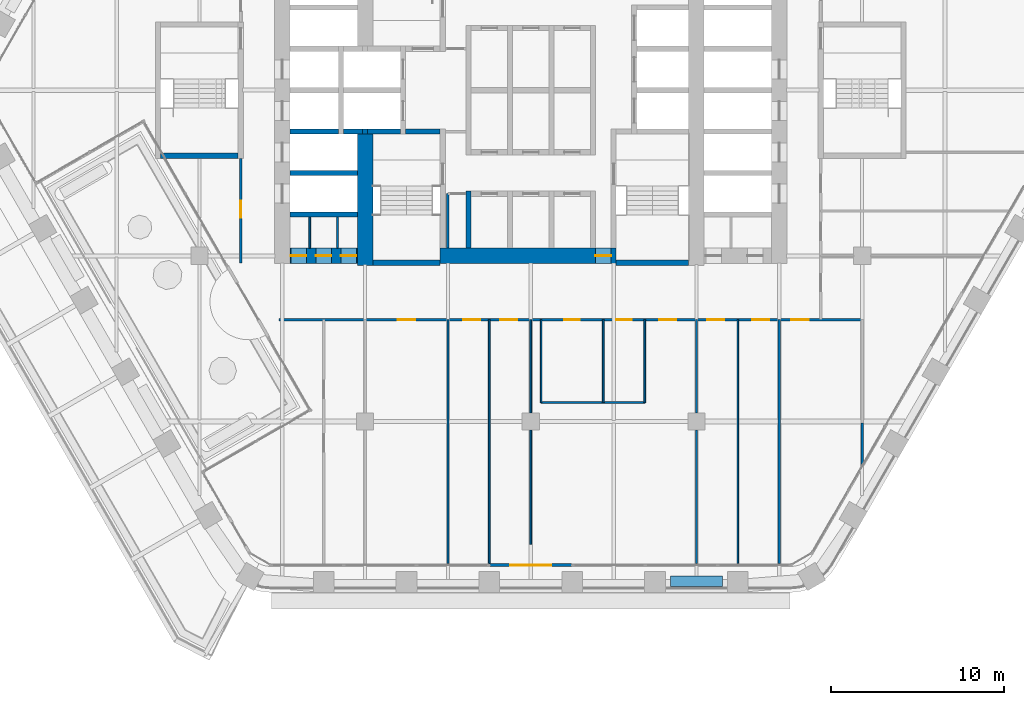
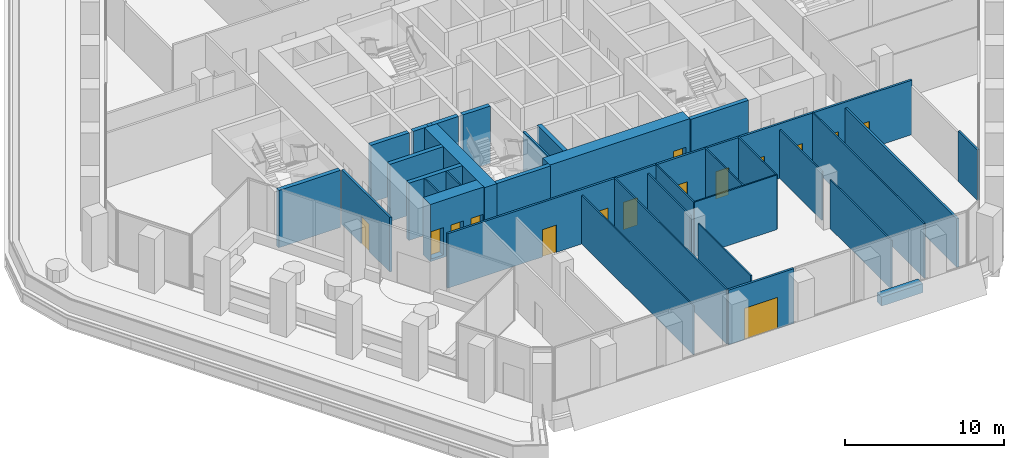
# One storey, part 15 of 27: 34 walls, 15 doors, 15 openings.
"""IFC4 building model written with IfcOpenShell, lengths in metres."""

from ifc_helpers import new_model, si_unit, direction, frame, frame_2d, origin, place, context, subcontext, project, spatial, rectangle, extrude, material, layer, layer_set, type_object, element, fill, save


model = new_model("IFC4")

# Units and contexts
model_context = context("Model", 3, precision=1e-05, world=origin(), true_north=direction((0.0, 1.0)))
body_context = subcontext(model_context, "Body", "Model", "MODEL_VIEW")
ifc_project = project(units=[si_unit("LENGTHUNIT", "METRE"), si_unit("AREAUNIT", "SQUARE_METRE"), si_unit("VOLUMEUNIT", "CUBIC_METRE"), si_unit("PLANEANGLEUNIT", "RADIAN"), si_unit("MASSUNIT", "GRAM", prefix="KILO")], contexts=[model_context])

# Site, building, storey
site_placement = place(None, origin())
site = spatial("IfcSite", under=ifc_project, at=site_placement, CompositionType="ELEMENT")
building_placement = place(site_placement, origin())
building = spatial("IfcBuilding", under=site, at=building_placement, Name="Kolab Exchange Tower", CompositionType="ELEMENT")
storey_placement = place(building_placement, frame((0.0, 0.0, 122.89990234375)))
storey = spatial("IfcBuildingStorey", under=building, at=storey_placement, Name="L24", CompositionType="ELEMENT", Elevation=122.89990234375)

# Wall, openings, doors
ifc_material_1 = material(Name="Concrete C70/85", Category="concrete")
ifc_layer_1 = layer(ifc_material_1, 0.89990234375)
ifc_layer_set_1 = layer_set([ifc_layer_1], Name="Concrete C70/85")
wall_type_1 = type_object("IfcWallType", Name="CORE WALL 900 C70/85", PredefinedType="SHEAR", material=ifc_layer_set_1)
wall_1_placement = place(storey_placement, frame((-13.949951171875, -9.60009765625, -0.199951171875), z_axis=(0.0, 0.0, 1.0), x_axis=(1.0, 0.0, 0.0)))
wall_1 = element("IfcWall", 1, at=wall_1_placement, inside=storey, type_object=wall_type_1, Name="wall/L24/core/002", PredefinedType="SHEAR", context=body_context, shape_type="SweptSolid", body=[
    extrude(rectangle(XDim=3.89990234375, YDim=0.89990234375, at=frame_2d((1.949951171875, 0.0))), origin(), (0.0, 0.0, 1.0), 4.400146484375),
])
opening_1_placement = place(wall_1_placement, frame((0.050048828125, 0.0, 0.199951171875)))
opening_1 = element("IfcOpeningElement", 2, at=opening_1_placement, cuts=wall_1, Name="Opening D6-256", PredefinedType="OPENING", context=body_context, shape_type="SweptSolid", body=[
    extrude(rectangle(XDim=0.89990234375, YDim=2.10009765625, at=frame_2d((0.449951171875, 1.050048828125))), frame((0.0, 0.4599609375, 0.0), z_axis=(0.0, -1.0, 0.0), x_axis=(1.0, 0.0, 0.0)), (0.0, 0.0, 1.0), 0.919921875),
])
opening_2_placement = place(wall_1_placement, frame((1.5, 0.0, 0.199951171875)))
opening_2 = element("IfcOpeningElement", 3, at=opening_2_placement, cuts=wall_1, Name="Opening D6-257", PredefinedType="OPENING", context=body_context, shape_type="SweptSolid", body=[
    extrude(rectangle(XDim=0.89990234375, YDim=2.10009765625, at=frame_2d((0.449951171875, 1.050048828125))), frame((0.0, 0.4599609375, 0.0), z_axis=(0.0, -1.0, 0.0), x_axis=(1.0, 0.0, 0.0)), (0.0, 0.0, 1.0), 0.919921875),
])
opening_3_placement = place(wall_1_placement, frame((2.949951171875, 0.0, 0.199951171875)))
opening_3 = element("IfcOpeningElement", 4, at=opening_3_placement, cuts=wall_1, Name="Opening D6-258", PredefinedType="OPENING", context=body_context, shape_type="SweptSolid", body=[
    extrude(rectangle(XDim=0.89990234375, YDim=2.10009765625, at=frame_2d((0.449951171875, 1.050048828125))), frame((0.0, 0.4599609375, 0.0), z_axis=(0.0, -1.0, 0.0), x_axis=(1.0, 0.0, 0.0)), (0.0, 0.0, 1.0), 0.919921875),
])
ifc_material_2 = material(Name="Steel S235", Category="steel")
door_type_1 = type_object("IfcDoorType", Name="CORE DOOR 900 EI 120", OperationType="SINGLE_SWING_LEFT", PredefinedType="DOOR", material=ifc_material_2)
door_1_placement = place(opening_1_placement, origin())
door_1 = element("IfcDoor", 5, at=door_1_placement, inside=storey, type_object=door_type_1, Name="Service room door", OperationType="SINGLE_SWING_RIGHT", OverallHeight=2.10009765625, OverallWidth=0.89990234375, PredefinedType="DOOR", context=body_context, shape_type="SweptSolid", body=[
    extrude(rectangle(XDim=0.89990234375, YDim=2.10009765625, at=frame_2d((0.449951171875, 1.050048828125))), frame((0.0, 0.02490234375, 0.0), z_axis=(0.0, -1.0, 0.0), x_axis=(1.0, 0.0, 0.0)), (0.0, 0.0, 1.0), 0.050048828125),
])
fill(opening_1, door_1)
door_2_placement = place(opening_2_placement, origin())
door_2 = element("IfcDoor", 6, at=door_2_placement, inside=storey, type_object=door_type_1, Name="Service room door", OperationType="SINGLE_SWING_LEFT", OverallHeight=2.10009765625, OverallWidth=0.89990234375, PredefinedType="DOOR", context=body_context, shape_type="SweptSolid", body=[
    extrude(rectangle(XDim=0.89990234375, YDim=2.10009765625, at=frame_2d((0.449951171875, 1.050048828125))), frame((0.0, 0.02490234375, 0.0), z_axis=(0.0, -1.0, 0.0), x_axis=(1.0, 0.0, 0.0)), (0.0, 0.0, 1.0), 0.050048828125),
])
fill(opening_2, door_2)
door_3_placement = place(opening_3_placement, origin())
door_3 = element("IfcDoor", 7, at=door_3_placement, inside=storey, type_object=door_type_1, Name="Service room door", OperationType="SINGLE_SWING_LEFT", OverallHeight=2.10009765625, OverallWidth=0.89990234375, PredefinedType="DOOR", context=body_context, shape_type="SweptSolid", body=[
    extrude(rectangle(XDim=0.89990234375, YDim=2.10009765625, at=frame_2d((0.449951171875, 1.050048828125))), frame((0.0, 0.02490234375, 0.0), z_axis=(0.0, -1.0, 0.0), x_axis=(1.0, 0.0, 0.0)), (0.0, 0.0, 1.0), 0.050048828125),
])
fill(opening_3, door_3)

# Wall, opening, door
wall_2_placement = place(storey_placement, frame((-5.25, -9.60009765625, -0.199951171875), z_axis=(0.0, 0.0, 1.0), x_axis=(1.0, 0.0, 0.0)))
wall_2 = element("IfcWall", 8, at=wall_2_placement, inside=storey, type_object=wall_type_1, Name="wall/L24/core/003", PredefinedType="SHEAR", context=body_context, shape_type="SweptSolid", body=[
    extrude(rectangle(XDim=10.199951171875, YDim=0.89990234375, at=frame_2d((5.10009765625, 0.0))), origin(), (0.0, 0.0, 1.0), 4.400146484375),
])
opening_4_placement = place(wall_2_placement, frame((9.0, 0.0, 0.199951171875)))
opening_4 = element("IfcOpeningElement", 9, at=opening_4_placement, cuts=wall_2, Name="Opening D6-249", PredefinedType="OPENING", context=body_context, shape_type="SweptSolid", body=[
    extrude(rectangle(XDim=0.89990234375, YDim=2.10009765625, at=frame_2d((0.449951171875, 1.050048828125))), frame((0.0, 0.4599609375, 0.0), z_axis=(0.0, -1.0, 0.0), x_axis=(1.0, 0.0, 0.0)), (0.0, 0.0, 1.0), 0.919921875),
])
door_4_placement = place(opening_4_placement, origin())
door_4 = element("IfcDoor", 10, at=door_4_placement, inside=storey, type_object=door_type_1, Name="Core lobby door", OperationType="SINGLE_SWING_LEFT", OverallHeight=2.10009765625, OverallWidth=0.89990234375, PredefinedType="DOOR", context=body_context, shape_type="SweptSolid", body=[
    extrude(rectangle(XDim=0.89990234375, YDim=2.10009765625, at=frame_2d((0.449951171875, 1.050048828125))), frame((0.0, 0.02490234375, 0.0), z_axis=(0.0, -1.0, 0.0), x_axis=(1.0, 0.0, 0.0)), (0.0, 0.0, 1.0), 0.050048828125),
])
fill(opening_4, door_4)

# Wall
wall_3_placement = place(storey_placement, frame((-9.60009765625, -10.14990234375, -0.199951171875), z_axis=(0.0, 0.0, 1.0), x_axis=(0.0, 1.0, 0.0)))
element("IfcWall", 11, at=wall_3_placement, inside=storey, type_object=wall_type_1, Name="wall/L24/core/059", PredefinedType="SHEAR", context=body_context, shape_type="SweptSolid", body=[
    extrude(rectangle(XDim=7.599853515625, YDim=0.89990234375, at=frame_2d((3.7998046875, 0.0))), origin(), (0.0, 0.0, 1.0), 4.400146484375),
])

# Wall, opening, door
ifc_material_3 = material(Name="Aluminium EN AW-6063 T6", Category="aluminium")
ifc_layer_2 = layer(ifc_material_3, 0.159912109375)
ifc_layer_set_2 = layer_set([ifc_layer_2], Name="Aluminium EN AW-6063 T6")
wall_type_2 = type_object("IfcWallType", Name="DOOR SURROUND WALL 160 ALUMINIUM FRAMED", PredefinedType="PARTITIONING", material=ifc_layer_set_2)
wall_4_placement = place(storey_placement, frame((2.3701171875, -27.5185546875, 0.0), z_axis=(0.0, 0.0, 1.0), x_axis=(-1.0, 0.0, 0.0)))
wall_4 = element("IfcWall", 12, at=wall_4_placement, inside=storey, type_object=wall_type_2, Name="Door surround wall", PredefinedType="PARTITIONING", context=body_context, shape_type="SweptSolid", body=[
    extrude(rectangle(XDim=4.740234375, YDim=0.159912109375, at=frame_2d((2.3701171875, 0.0))), origin(), (0.0, 0.0, 1.0), 4.2001953125),
])
opening_5_placement = place(wall_4_placement, frame((1.169921875, 0.0, 0.0)))
opening_5 = element("IfcOpeningElement", 13, at=opening_5_placement, cuts=wall_4, Name="Opening GD1-046", PredefinedType="OPENING", context=body_context, shape_type="SweptSolid", body=[
    extrude(rectangle(XDim=2.39990234375, YDim=2.39990234375, at=frame_2d((1.199951171875, 1.199951171875))), frame((0.0, 0.08984375, 0.0), z_axis=(0.0, -1.0, 0.0), x_axis=(1.0, 0.0, 0.0)), (0.0, 0.0, 1.0), 0.179931640625),
])
door_type_2 = type_object("IfcDoorType", Name="LOGGIA SLIDING GLASS DOOR 2400 X 2400", OperationType="DOUBLE_DOOR_SINGLE_SWING", PredefinedType="DOOR", material=ifc_material_3)
door_5_placement = place(opening_5_placement, origin())
door_5 = element("IfcDoor", 14, at=door_5_placement, inside=storey, type_object=door_type_2, Name="Loggia door", OperationType="DOUBLE_DOOR_SLIDING", OverallHeight=2.39990234375, OverallWidth=2.39990234375, PredefinedType="DOOR", context=body_context, shape_type="SweptSolid", body=[
    extrude(rectangle(XDim=2.39990234375, YDim=2.39990234375, at=frame_2d((1.199951171875, 1.199951171875))), frame((0.0, 0.02490234375, 0.0), z_axis=(0.0, -1.0, 0.0), x_axis=(1.0, 0.0, 0.0)), (0.0, 0.0, 1.0), 0.050048828125),
])
fill(opening_5, door_5)

# Walls
ifc_material_4 = material(Name="Concrete C50/60", Category="concrete")
ifc_layer_3 = layer(ifc_material_4, 0.300048828125)
ifc_layer_set_3 = layer_set([ifc_layer_3], Name="Concrete C50/60")
wall_type_3 = type_object("IfcWallType", Name="LIFT SHAFT WALL 300 C50/60", PredefinedType="STANDARD", material=ifc_layer_set_3)
for number, where, z_axis, x_axis, name in (
    (15, (-13.949951171875, -7.199951171875, -0.199951171875), (0.0, 0.0, 1.0), (1.0, 0.0, 0.0), "wall/L24/core/005"),
    (16, (-13.949951171875, -4.800048828125, -0.199951171875), (0.0, 0.0, 1.0), (1.0, 0.0, 0.0), "wall/L24/core/010"),
):
    element("IfcWall", number, at=place(storey_placement, frame(where, z_axis=z_axis, x_axis=x_axis)), inside=storey, type_object=wall_type_3, Name=name, PredefinedType="STANDARD", context=body_context, shape_type="SweptSolid", body=[
        extrude(rectangle(XDim=3.89990234375, YDim=0.300048828125, at=frame_2d((1.949951171875, 0.0))), origin(), (0.0, 0.0, 1.0), 4.400146484375),
    ])
wall_5_placement = place(storey_placement, frame((-13.949951171875, -2.39990234375, -0.199951171875), z_axis=(0.0, 0.0, 1.0), x_axis=(1.0, 0.0, 0.0)))
element("IfcWall", 17, at=wall_5_placement, inside=storey, type_object=wall_type_3, Name="wall/L24/core/017", PredefinedType="STANDARD", context=body_context, shape_type="SweptSolid", body=[
    extrude(rectangle(XDim=2.800048828125, YDim=0.300048828125, at=frame_2d((1.39990234375, 0.0))), origin(), (0.0, 0.0, 1.0), 4.400146484375),
])
wall_6_placement = place(storey_placement, frame((-10.85009765625, -2.39990234375, -0.199951171875), z_axis=(0.0, 0.0, 1.0), x_axis=(1.0, 0.0, 0.0)))
element("IfcWall", 18, at=wall_6_placement, inside=storey, type_object=wall_type_3, Name="wall/L24/core/018", PredefinedType="STANDARD", context=body_context, shape_type="SweptSolid", body=[
    extrude(rectangle(XDim=1.10009765625, YDim=0.300048828125, at=frame_2d((0.550048828125, 0.0))), origin(), (0.0, 0.0, 1.0), 4.400146484375),
])
wall_7_placement = place(storey_placement, frame((-3.60009765625, -9.14990234375, -0.199951171875), z_axis=(0.0, 0.0, 1.0), x_axis=(0.0, 1.0, 0.0)))
element("IfcWall", 19, at=wall_7_placement, inside=storey, type_object=wall_type_3, Name="wall/L24/core/066", PredefinedType="STANDARD", context=body_context, shape_type="SweptSolid", body=[
    extrude(rectangle(XDim=3.2998046875, YDim=0.300048828125, at=frame_2d((1.64990234375, 0.0))), origin(), (0.0, 0.0, 1.0), 4.400146484375),
])
ifc_material_5 = material(Name="Gypsum board", Category="gypsum")
ifc_layer_4 = layer(ifc_material_5, 0.10009765625)
ifc_layer_set_4 = layer_set([ifc_layer_4], Name="Gypsum board")
wall_type_4 = type_object("IfcWallType", Name="PARTITION 100", PredefinedType="PARTITIONING", material=ifc_layer_set_4)
wall_8_placement = place(storey_placement, frame((12.0, -27.428466796875, 0.0), z_axis=(0.0, 0.0, 1.0), x_axis=(0.0, 1.0, 0.0)))
element("IfcWall", 20, at=wall_8_placement, inside=storey, type_object=wall_type_4, Name="Partition 007", PredefinedType="PARTITIONING", context=body_context, shape_type="SweptSolid", body=[
    extrude(rectangle(XDim=14.12841796875, YDim=0.10009765625, at=frame_2d((7.064208984375, 0.0))), origin(), (0.0, 0.0, 1.0), 4.2001953125),
])
wall_9_placement = place(storey_placement, frame((9.60009765625, -27.428466796875, 0.0), z_axis=(0.0, 0.0, 1.0), x_axis=(0.0, 1.0, 0.0)))
element("IfcWall", 21, at=wall_9_placement, inside=storey, type_object=wall_type_4, Name="Partition 009", PredefinedType="PARTITIONING", context=body_context, shape_type="SweptSolid", body=[
    extrude(rectangle(XDim=7.728515625, YDim=0.10009765625, at=frame_2d((3.8642578125, 0.0))), origin(), (0.0, 0.0, 1.0), 3.7431640625),
])
wall_10_placement = place(storey_placement, frame((9.60009765625, -18.699951171875, 0.0), z_axis=(0.0, 0.0, 1.0), x_axis=(0.0, 1.0, 0.0)))
element("IfcWall", 22, at=wall_10_placement, inside=storey, type_object=wall_type_4, Name="Partition 010", PredefinedType="PARTITIONING", context=body_context, shape_type="SweptSolid", body=[
    extrude(rectangle(XDim=5.39990234375, YDim=0.10009765625, at=frame_2d((2.699951171875, 0.0))), origin(), (0.0, 0.0, 1.0), 3.7431640625),
])
for number, where, z_axis, x_axis, name in (
    (23, (6.60009765625, -18.10009765625, 0.0), (0.0, 0.0, 1.0), (0.0, 1.0, 0.0), "Partition 013"),
    (24, (4.199951171875, -18.10009765625, 0.0), (0.0, 0.0, 1.0), (0.0, 1.0, 0.0), "Partition 016"),
    (25, (0.60009765625, -18.10009765625, 0.0), (0.0, 0.0, 1.0), (0.0, 1.0, 0.0), "Partition 018"),
):
    element("IfcWall", number, at=place(storey_placement, frame(where, z_axis=z_axis, x_axis=x_axis)), inside=storey, type_object=wall_type_4, Name=name, PredefinedType="PARTITIONING", context=body_context, shape_type="SweptSolid", body=[
        extrude(rectangle(XDim=4.800048828125, YDim=0.10009765625, at=frame_2d((2.39990234375, 0.0))), origin(), (0.0, 0.0, 1.0), 4.2001953125),
    ])
wall_11_placement = place(storey_placement, frame((0.0, -26.318603515625, 0.0), z_axis=(0.0, 0.0, 1.0), x_axis=(0.0, 1.0, 0.0)))
element("IfcWall", 26, at=wall_11_placement, inside=storey, type_object=wall_type_4, Name="Partition 019", PredefinedType="PARTITIONING", context=body_context, shape_type="SweptSolid", body=[
    extrude(rectangle(XDim=6.61865234375, YDim=0.10009765625, at=frame_2d((3.309326171875, 0.0))), origin(), (0.0, 0.0, 1.0), 3.7431640625),
])
wall_12_placement = place(storey_placement, frame((0.0, -18.699951171875, 0.0), z_axis=(0.0, 0.0, 1.0), x_axis=(0.0, 1.0, 0.0)))
element("IfcWall", 27, at=wall_12_placement, inside=storey, type_object=wall_type_4, Name="Partition 020", PredefinedType="PARTITIONING", context=body_context, shape_type="SweptSolid", body=[
    extrude(rectangle(XDim=5.39990234375, YDim=0.10009765625, at=frame_2d((2.699951171875, 0.0))), origin(), (0.0, 0.0, 1.0), 3.7431640625),
])
wall_13_placement = place(storey_placement, frame((-2.39990234375, -27.4384765625, 0.0), z_axis=(0.0, 0.0, 1.0), x_axis=(0.0, 1.0, 0.0)))
element("IfcWall", 28, at=wall_13_placement, inside=storey, type_object=wall_type_4, Name="Partition 023", PredefinedType="PARTITIONING", context=body_context, shape_type="SweptSolid", body=[
    extrude(rectangle(XDim=14.138427734375, YDim=0.10009765625, at=frame_2d((7.0693359375, 0.0))), origin(), (0.0, 0.0, 1.0), 4.2001953125),
])
wall_14_placement = place(storey_placement, frame((-4.800048828125, -27.428466796875, 0.0), z_axis=(0.0, 0.0, 1.0), x_axis=(0.0, 1.0, 0.0)))
element("IfcWall", 29, at=wall_14_placement, inside=storey, type_object=wall_type_4, Name="Partition 025", PredefinedType="PARTITIONING", context=body_context, shape_type="SweptSolid", body=[
    extrude(rectangle(XDim=14.12841796875, YDim=0.10009765625, at=frame_2d((7.064208984375, 0.0))), origin(), (0.0, 0.0, 1.0), 3.7431640625),
])
for number, where, z_axis, x_axis, name in (
    (30, (-11.199951171875, -9.14990234375, 0.0), (0.0, 0.0, 1.0), (0.0, 1.0, 0.0), "Partition 032"),
    (31, (-12.800048828125, -9.14990234375, 0.0), (0.0, 0.0, 1.0), (0.0, 1.0, 0.0), "Partition 036"),
):
    element("IfcWall", number, at=place(storey_placement, frame(where, z_axis=z_axis, x_axis=x_axis)), inside=storey, type_object=wall_type_4, Name=name, PredefinedType="PARTITIONING", context=body_context, shape_type="SweptSolid", body=[
        extrude(rectangle(XDim=1.7998046875, YDim=0.10009765625, at=frame_2d((0.89990234375, 0.0))), origin(), (0.0, 0.0, 1.0), 4.2001953125),
    ])
wall_15_placement = place(storey_placement, frame((0.60009765625, -18.10009765625, 0.0), z_axis=(0.0, 0.0, 1.0), x_axis=(1.0, 0.0, 0.0)))
element("IfcWall", 32, at=wall_15_placement, inside=storey, type_object=wall_type_4, Name="Partition 041", PredefinedType="PARTITIONING", context=body_context, shape_type="SweptSolid", body=[
    extrude(rectangle(XDim=6.0, YDim=0.10009765625, at=frame_2d((3.0, 0.0))), origin(), (0.0, 0.0, 1.0), 4.2001953125),
])
ifc_layer_5 = layer(ifc_material_5, 0.14990234375)
ifc_layer_set_5 = layer_set([ifc_layer_5], Name="Gypsum board")
wall_type_5 = type_object("IfcWallType", Name="PARTITION 150 FIRE-RATED", PredefinedType="PARTITIONING", material=ifc_layer_set_5)
wall_16_placement = place(storey_placement, frame((19.199951171875, -21.701416015625, 0.0), z_axis=(0.0, 0.0, 1.0), x_axis=(0.0, 1.0, 0.0)))
element("IfcWall", 33, at=wall_16_placement, inside=storey, type_object=wall_type_5, Name="Partition 001", PredefinedType="PARTITIONING", context=body_context, shape_type="SweptSolid", body=[
    extrude(rectangle(XDim=2.407958984375, YDim=0.14990234375, at=frame_2d((1.2041015625, 0.0))), origin(), (0.0, 0.0, 1.0), 3.89013671875),
])
wall_17_placement = place(storey_placement, frame((14.39990234375, -27.428466796875, 0.0), z_axis=(0.0, 0.0, 1.0), x_axis=(0.0, 1.0, 0.0)))
element("IfcWall", 34, at=wall_17_placement, inside=storey, type_object=wall_type_5, Name="Partition 005", PredefinedType="PARTITIONING", context=body_context, shape_type="SweptSolid", body=[
    extrude(rectangle(XDim=14.12841796875, YDim=0.14990234375, at=frame_2d((7.064208984375, 0.0))), origin(), (0.0, 0.0, 1.0), 3.7431640625),
])
wall_18_placement = place(storey_placement, frame((-4.800048828125, -9.14990234375, 0.0), z_axis=(0.0, 0.0, 1.0), x_axis=(0.0, 1.0, 0.0)))
element("IfcWall", 35, at=wall_18_placement, inside=storey, type_object=wall_type_5, Name="Partition 026", PredefinedType="PARTITIONING", context=body_context, shape_type="SweptSolid", body=[
    extrude(rectangle(XDim=3.14990234375, YDim=0.14990234375, at=frame_2d((1.574951171875, 0.0))), origin(), (0.0, 0.0, 1.0), 4.2001953125),
])

# Wall, opening, door
wall_19_placement = place(storey_placement, frame((-16.800048828125, -10.0, 0.0), z_axis=(0.0, 0.0, 1.0), x_axis=(0.0, 1.0, 0.0)))
wall_19 = element("IfcWall", 36, at=wall_19_placement, inside=storey, type_object=wall_type_5, Name="Partition 038", PredefinedType="PARTITIONING", context=body_context, shape_type="SweptSolid", body=[
    extrude(rectangle(XDim=6.050048828125, YDim=0.14990234375, at=frame_2d((3.02490234375, 0.0))), origin(), (0.0, 0.0, 1.0), 4.2001953125),
])
opening_6_placement = place(wall_19_placement, frame((2.60009765625, 0.0, 0.0)))
opening_6 = element("IfcOpeningElement", 37, at=opening_6_placement, cuts=wall_19, Name="Opening D1-354", PredefinedType="OPENING", context=body_context, shape_type="SweptSolid", body=[
    extrude(rectangle(XDim=1.0, YDim=2.10009765625, at=frame_2d((0.5, 1.050048828125))), frame((0.0, 0.0849609375, 0.0), z_axis=(0.0, -1.0, 0.0), x_axis=(1.0, 0.0, 0.0)), (0.0, 0.0, 1.0), 0.169921875),
])
door_type_3 = type_object("IfcDoorType", Name="FLUSH DOOR 1000 FD60", OperationType="SINGLE_SWING_LEFT", PredefinedType="DOOR", material=ifc_material_2)
door_6_placement = place(opening_6_placement, origin())
door_6 = element("IfcDoor", 38, at=door_6_placement, inside=storey, type_object=door_type_3, Name="Door L24-075", OperationType="SINGLE_SWING_LEFT", OverallHeight=2.10009765625, OverallWidth=1.0, PredefinedType="DOOR", context=body_context, shape_type="SweptSolid", body=[
    extrude(rectangle(XDim=1.0, YDim=2.10009765625, at=frame_2d((0.5, 1.050048828125))), frame((0.0, 0.02490234375, 0.0), z_axis=(0.0, -1.0, 0.0), x_axis=(1.0, 0.0, 0.0)), (0.0, 0.0, 1.0), 0.050048828125),
])
fill(opening_6, door_6)

# Wall, openings, doors
wall_20_placement = place(storey_placement, frame((-14.59619140625, -13.300048828125, 0.0), z_axis=(0.0, 0.0, 1.0), x_axis=(1.0, 0.0, 0.0)))
wall_20 = element("IfcWall", 39, at=wall_20_placement, inside=storey, type_object=wall_type_5, Name="Partition 042", PredefinedType="PARTITIONING", context=body_context, shape_type="SweptSolid", body=[
    extrude(rectangle(XDim=33.796142578125, YDim=0.14990234375, at=frame_2d((16.89794921875, 0.0))), origin(), (0.0, 0.0, 1.0), 4.2001953125),
])
opening_7_placement = place(wall_20_placement, frame((6.896240234375, 0.0, 0.0)))
opening_7 = element("IfcOpeningElement", 40, at=opening_7_placement, cuts=wall_20, Name="Opening D1-342", PredefinedType="OPENING", context=body_context, shape_type="SweptSolid", body=[
    extrude(rectangle(XDim=1.0, YDim=2.10009765625, at=frame_2d((0.5, 1.050048828125))), frame((0.0, 0.0849609375, 0.0), z_axis=(0.0, -1.0, 0.0), x_axis=(1.0, 0.0, 0.0)), (0.0, 0.0, 1.0), 0.169921875),
])
opening_8_placement = place(wall_20_placement, frame((10.67138671875, 0.0, 0.0)))
opening_8 = element("IfcOpeningElement", 41, at=opening_8_placement, cuts=wall_20, Name="Opening D1-343", PredefinedType="OPENING", context=body_context, shape_type="SweptSolid", body=[
    extrude(rectangle(XDim=1.0, YDim=2.10009765625, at=frame_2d((0.5, 1.050048828125))), frame((0.0, 0.0849609375, 0.0), z_axis=(0.0, -1.0, 0.0), x_axis=(1.0, 0.0, 0.0)), (0.0, 0.0, 1.0), 0.169921875),
])
opening_9_placement = place(wall_20_placement, frame((12.8212890625, 0.0, 0.0)))
opening_9 = element("IfcOpeningElement", 42, at=opening_9_placement, cuts=wall_20, Name="Opening D1-344", PredefinedType="OPENING", context=body_context, shape_type="SweptSolid", body=[
    extrude(rectangle(XDim=1.0, YDim=2.10009765625, at=frame_2d((0.5, 1.050048828125))), frame((0.0, 0.0849609375, 0.0), z_axis=(0.0, -1.0, 0.0), x_axis=(1.0, 0.0, 0.0)), (0.0, 0.0, 1.0), 0.169921875),
])
opening_10_placement = place(wall_20_placement, frame((22.03125, 0.0, 0.0)))
opening_10 = element("IfcOpeningElement", 43, at=opening_10_placement, cuts=wall_20, Name="Opening D1-345", PredefinedType="OPENING", context=body_context, shape_type="SweptSolid", body=[
    extrude(rectangle(XDim=1.0, YDim=2.10009765625, at=frame_2d((0.5, 1.050048828125))), frame((0.0, 0.0849609375, 0.0), z_axis=(0.0, -1.0, 0.0), x_axis=(1.0, 0.0, 0.0)), (0.0, 0.0, 1.0), 0.169921875),
])
opening_11_placement = place(wall_20_placement, frame((24.8212890625, 0.0, 0.0)))
opening_11 = element("IfcOpeningElement", 44, at=opening_11_placement, cuts=wall_20, Name="Opening D1-346", PredefinedType="OPENING", context=body_context, shape_type="SweptSolid", body=[
    extrude(rectangle(XDim=1.0, YDim=2.10009765625, at=frame_2d((0.5, 1.050048828125))), frame((0.0, 0.0849609375, 0.0), z_axis=(0.0, -1.0, 0.0), x_axis=(1.0, 0.0, 0.0)), (0.0, 0.0, 1.0), 0.169921875),
])
opening_12_placement = place(wall_20_placement, frame((27.42138671875, 0.0, 0.0)))
opening_12 = element("IfcOpeningElement", 45, at=opening_12_placement, cuts=wall_20, Name="Opening D1-347", PredefinedType="OPENING", context=body_context, shape_type="SweptSolid", body=[
    extrude(rectangle(XDim=1.0, YDim=2.10009765625, at=frame_2d((0.5, 1.050048828125))), frame((0.0, 0.0849609375, 0.0), z_axis=(0.0, -1.0, 0.0), x_axis=(1.0, 0.0, 0.0)), (0.0, 0.0, 1.0), 0.169921875),
])
opening_13_placement = place(wall_20_placement, frame((29.6962890625, 0.0, 0.0)))
opening_13 = element("IfcOpeningElement", 46, at=opening_13_placement, cuts=wall_20, Name="Opening D1-348", PredefinedType="OPENING", context=body_context, shape_type="SweptSolid", body=[
    extrude(rectangle(XDim=1.0, YDim=2.10009765625, at=frame_2d((0.5, 1.050048828125))), frame((0.0, 0.0849609375, 0.0), z_axis=(0.0, -1.0, 0.0), x_axis=(1.0, 0.0, 0.0)), (0.0, 0.0, 1.0), 0.169921875),
])
opening_14_placement = place(wall_20_placement, frame((16.54638671875, 0.0, 0.0)))
opening_14 = element("IfcOpeningElement", 47, at=opening_14_placement, cuts=wall_20, Name="Opening D3-033", PredefinedType="OPENING", context=body_context, shape_type="SweptSolid", body=[
    extrude(rectangle(XDim=0.89990234375, YDim=2.10009765625, at=frame_2d((0.449951171875, 1.050048828125))), frame((0.0, 0.0849609375, 0.0), z_axis=(0.0, -1.0, 0.0), x_axis=(1.0, 0.0, 0.0)), (0.0, 0.0, 1.0), 0.169921875),
])
opening_15_placement = place(wall_20_placement, frame((19.54638671875, 0.0, 0.0)))
opening_15 = element("IfcOpeningElement", 48, at=opening_15_placement, cuts=wall_20, Name="Opening D3-034", PredefinedType="OPENING", context=body_context, shape_type="SweptSolid", body=[
    extrude(rectangle(XDim=0.89990234375, YDim=2.10009765625, at=frame_2d((0.449951171875, 1.050048828125))), frame((0.0, 0.0849609375, 0.0), z_axis=(0.0, -1.0, 0.0), x_axis=(1.0, 0.0, 0.0)), (0.0, 0.0, 1.0), 0.169921875),
])
door_7_placement = place(opening_7_placement, frame((1.0, 0.0, 0.0), z_axis=(0.0, 0.0, 1.0), x_axis=(-1.0, 0.0, 0.0)))
door_7 = element("IfcDoor", 49, at=door_7_placement, inside=storey, type_object=door_type_3, Name="Door L24-063", OperationType="SINGLE_SWING_RIGHT", OverallHeight=2.10009765625, OverallWidth=1.0, PredefinedType="DOOR", context=body_context, shape_type="SweptSolid", body=[
    extrude(rectangle(XDim=1.0, YDim=2.10009765625, at=frame_2d((0.5, 1.050048828125))), frame((0.0, 0.02490234375, 0.0), z_axis=(0.0, -1.0, 0.0), x_axis=(1.0, 0.0, 0.0)), (0.0, 0.0, 1.0), 0.050048828125),
])
fill(opening_7, door_7)
door_8_placement = place(opening_8_placement, frame((1.0, 0.0, 0.0), z_axis=(0.0, 0.0, 1.0), x_axis=(-1.0, 0.0, 0.0)))
door_8 = element("IfcDoor", 50, at=door_8_placement, inside=storey, type_object=door_type_3, Name="Door L24-064", OperationType="SINGLE_SWING_RIGHT", OverallHeight=2.10009765625, OverallWidth=1.0, PredefinedType="DOOR", context=body_context, shape_type="SweptSolid", body=[
    extrude(rectangle(XDim=1.0, YDim=2.10009765625, at=frame_2d((0.5, 1.050048828125))), frame((0.0, 0.02490234375, 0.0), z_axis=(0.0, -1.0, 0.0), x_axis=(1.0, 0.0, 0.0)), (0.0, 0.0, 1.0), 0.050048828125),
])
fill(opening_8, door_8)
door_9_placement = place(opening_9_placement, frame((1.0, 0.0, 0.0), z_axis=(0.0, 0.0, 1.0), x_axis=(-1.0, 0.0, 0.0)))
door_9 = element("IfcDoor", 51, at=door_9_placement, inside=storey, type_object=door_type_3, Name="Door L24-065", OperationType="SINGLE_SWING_LEFT", OverallHeight=2.10009765625, OverallWidth=1.0, PredefinedType="DOOR", context=body_context, shape_type="SweptSolid", body=[
    extrude(rectangle(XDim=1.0, YDim=2.10009765625, at=frame_2d((0.5, 1.050048828125))), frame((0.0, 0.02490234375, 0.0), z_axis=(0.0, -1.0, 0.0), x_axis=(1.0, 0.0, 0.0)), (0.0, 0.0, 1.0), 0.050048828125),
])
fill(opening_9, door_9)
door_10_placement = place(opening_10_placement, frame((1.0, 0.0, 0.0), z_axis=(0.0, 0.0, 1.0), x_axis=(-1.0, 0.0, 0.0)))
door_10 = element("IfcDoor", 52, at=door_10_placement, inside=storey, type_object=door_type_3, Name="Door L24-066", OperationType="SINGLE_SWING_LEFT", OverallHeight=2.10009765625, OverallWidth=1.0, PredefinedType="DOOR", context=body_context, shape_type="SweptSolid", body=[
    extrude(rectangle(XDim=1.0, YDim=2.10009765625, at=frame_2d((0.5, 1.050048828125))), frame((0.0, 0.02490234375, 0.0), z_axis=(0.0, -1.0, 0.0), x_axis=(1.0, 0.0, 0.0)), (0.0, 0.0, 1.0), 0.050048828125),
])
fill(opening_10, door_10)
door_11_placement = place(opening_11_placement, frame((1.0, 0.0, 0.0), z_axis=(0.0, 0.0, 1.0), x_axis=(-1.0, 0.0, 0.0)))
door_11 = element("IfcDoor", 53, at=door_11_placement, inside=storey, type_object=door_type_3, Name="Door L24-067", OperationType="SINGLE_SWING_LEFT", OverallHeight=2.10009765625, OverallWidth=1.0, PredefinedType="DOOR", context=body_context, shape_type="SweptSolid", body=[
    extrude(rectangle(XDim=1.0, YDim=2.10009765625, at=frame_2d((0.5, 1.050048828125))), frame((0.0, 0.02490234375, 0.0), z_axis=(0.0, -1.0, 0.0), x_axis=(1.0, 0.0, 0.0)), (0.0, 0.0, 1.0), 0.050048828125),
])
fill(opening_11, door_11)
door_12_placement = place(opening_12_placement, frame((1.0, 0.0, 0.0), z_axis=(0.0, 0.0, 1.0), x_axis=(-1.0, 0.0, 0.0)))
door_12 = element("IfcDoor", 54, at=door_12_placement, inside=storey, type_object=door_type_3, Name="Door L24-068", OperationType="SINGLE_SWING_RIGHT", OverallHeight=2.10009765625, OverallWidth=1.0, PredefinedType="DOOR", context=body_context, shape_type="SweptSolid", body=[
    extrude(rectangle(XDim=1.0, YDim=2.10009765625, at=frame_2d((0.5, 1.050048828125))), frame((0.0, 0.02490234375, 0.0), z_axis=(0.0, -1.0, 0.0), x_axis=(1.0, 0.0, 0.0)), (0.0, 0.0, 1.0), 0.050048828125),
])
fill(opening_12, door_12)
door_13_placement = place(opening_13_placement, frame((1.0, 0.0, 0.0), z_axis=(0.0, 0.0, 1.0), x_axis=(-1.0, 0.0, 0.0)))
door_13 = element("IfcDoor", 55, at=door_13_placement, inside=storey, type_object=door_type_3, Name="Door L24-069", OperationType="SINGLE_SWING_LEFT", OverallHeight=2.10009765625, OverallWidth=1.0, PredefinedType="DOOR", context=body_context, shape_type="SweptSolid", body=[
    extrude(rectangle(XDim=1.0, YDim=2.10009765625, at=frame_2d((0.5, 1.050048828125))), frame((0.0, 0.02490234375, 0.0), z_axis=(0.0, -1.0, 0.0), x_axis=(1.0, 0.0, 0.0)), (0.0, 0.0, 1.0), 0.050048828125),
])
fill(opening_13, door_13)
door_type_4 = type_object("IfcDoorType", Name="FLUSH DOOR 900 FD60", OperationType="SINGLE_SWING_LEFT", PredefinedType="DOOR", material=ifc_material_2)
door_14_placement = place(opening_14_placement, frame((0.89990234375, 0.0, 0.0), z_axis=(0.0, 0.0, 1.0), x_axis=(-1.0, 0.0, 0.0)))
door_14 = element("IfcDoor", 56, at=door_14_placement, inside=storey, type_object=door_type_4, Name="Door L24-079", OperationType="SINGLE_SWING_LEFT", OverallHeight=2.10009765625, OverallWidth=0.89990234375, PredefinedType="DOOR", context=body_context, shape_type="SweptSolid", body=[
    extrude(rectangle(XDim=0.89990234375, YDim=2.10009765625, at=frame_2d((0.449951171875, 1.050048828125))), frame((0.0, 0.02490234375, 0.0), z_axis=(0.0, -1.0, 0.0), x_axis=(1.0, 0.0, 0.0)), (0.0, 0.0, 1.0), 0.050048828125),
])
fill(opening_14, door_14)
door_15_placement = place(opening_15_placement, frame((0.89990234375, 0.0, 0.0), z_axis=(0.0, 0.0, 1.0), x_axis=(-1.0, 0.0, 0.0)))
door_15 = element("IfcDoor", 57, at=door_15_placement, inside=storey, type_object=door_type_4, Name="Door L24-080", OperationType="SINGLE_SWING_LEFT", OverallHeight=2.10009765625, OverallWidth=0.89990234375, PredefinedType="DOOR", context=body_context, shape_type="SweptSolid", body=[
    extrude(rectangle(XDim=0.89990234375, YDim=2.10009765625, at=frame_2d((0.449951171875, 1.050048828125))), frame((0.0, 0.02490234375, 0.0), z_axis=(0.0, -1.0, 0.0), x_axis=(1.0, 0.0, 0.0)), (0.0, 0.0, 1.0), 0.050048828125),
])
fill(opening_15, door_15)

# Walls
ifc_material_6 = material(Name="Granite facing", Category="masonry")
ifc_layer_6 = layer(ifc_material_6, 0.0400390625)
ifc_material_7 = material(Name="Concrete C40/50 precast", Category="concrete")
ifc_layer_7 = layer(ifc_material_7, 0.56005859375)
ifc_layer_set_6 = layer_set([ifc_layer_6, ifc_layer_7], Name="Concrete C40/50 precast")
wall_type_6 = type_object("IfcWallType", Name="PLANTER BOX 600 X 700 SOIL DEPTH 550", PredefinedType="USERDEFINED", material=ifc_layer_set_6)
wall_21_placement = place(storey_placement, frame((11.10009765625, -28.448486328125, 0.0), z_axis=(0.0, 0.0, 1.0), x_axis=(-1.0, 0.0, 0.0)))
element("IfcWall", 58, at=wall_21_placement, inside=storey, type_object=wall_type_6, Name="Planter", ObjectType="PLANTER", PredefinedType="USERDEFINED", context=body_context, shape_type="SweptSolid", body=[
    extrude(rectangle(XDim=3.0, YDim=0.60009765625, at=frame_2d((1.5, 0.0))), origin(), (0.0, 0.0, 1.0), 0.7001953125),
])
ifc_layer_8 = layer(ifc_material_4, 0.300048828125)
ifc_layer_set_7 = layer_set([ifc_layer_8], Name="Concrete C50/60")
wall_type_7 = type_object("IfcWallType", Name="STAIR ENCLOSURE WALL 300 C50/60", PredefinedType="STANDARD", material=ifc_layer_set_7)
wall_22_placement = place(storey_placement, frame((-9.14990234375, -10.0, -0.199951171875), z_axis=(0.0, 0.0, 1.0), x_axis=(1.0, 0.0, 0.0)))
element("IfcWall", 59, at=wall_22_placement, inside=storey, type_object=wall_type_7, Name="wall/L24/core/000", PredefinedType="STANDARD", context=body_context, shape_type="SweptSolid", body=[
    extrude(rectangle(XDim=3.89990234375, YDim=0.300048828125, at=frame_2d((1.949951171875, 0.0))), origin(), (0.0, 0.0, 1.0), 4.400146484375),
])
wall_23_placement = place(storey_placement, frame((4.949951171875, -10.0, -0.199951171875), z_axis=(0.0, 0.0, 1.0), x_axis=(1.0, 0.0, 0.0)))
element("IfcWall", 60, at=wall_23_placement, inside=storey, type_object=wall_type_7, Name="wall/L24/core/001", PredefinedType="STANDARD", context=body_context, shape_type="SweptSolid", body=[
    extrude(rectangle(XDim=4.199951171875, YDim=0.300048828125, at=frame_2d((2.10009765625, 0.0))), origin(), (0.0, 0.0, 1.0), 4.400146484375),
])
wall_24_placement = place(storey_placement, frame((-21.449951171875, -3.800048828125, -0.199951171875), z_axis=(0.0, 0.0, 1.0), x_axis=(1.0, 0.0, 0.0)))
element("IfcWall", 61, at=wall_24_placement, inside=storey, type_object=wall_type_7, Name="wall/L24/core/012", PredefinedType="STANDARD", context=body_context, shape_type="SweptSolid", body=[
    extrude(rectangle(XDim=4.5, YDim=0.300048828125, at=frame_2d((2.25, 0.0))), origin(), (0.0, 0.0, 1.0), 4.400146484375),
])
wall_25_placement = place(storey_placement, frame((-9.449951171875, -2.39990234375, -0.199951171875), z_axis=(0.0, 0.0, 1.0), x_axis=(1.0, 0.0, 0.0)))
element("IfcWall", 62, at=wall_25_placement, inside=storey, type_object=wall_type_7, Name="wall/L24/core/019", PredefinedType="STANDARD", context=body_context, shape_type="SweptSolid", body=[
    extrude(rectangle(XDim=1.89990234375, YDim=0.300048828125, at=frame_2d((0.949951171875, 0.0))), origin(), (0.0, 0.0, 1.0), 4.400146484375),
])
wall_26_placement = place(storey_placement, frame((-7.25, -2.39990234375, -0.199951171875), z_axis=(0.0, 0.0, 1.0), x_axis=(1.0, 0.0, 0.0)))
element("IfcWall", 63, at=wall_26_placement, inside=storey, type_object=wall_type_7, Name="wall/L24/core/020", PredefinedType="STANDARD", context=body_context, shape_type="SweptSolid", body=[
    extrude(rectangle(XDim=2.0, YDim=0.300048828125, at=frame_2d((1.0, 0.0))), origin(), (0.0, 0.0, 1.0), 4.400146484375),
])
wall_27_placement = place(storey_placement, frame((-9.60009765625, -2.550048828125, -0.199951171875), z_axis=(0.0, 0.0, 1.0), x_axis=(0.0, 1.0, 0.0)))
element("IfcWall", 64, at=wall_27_placement, inside=storey, type_object=wall_type_7, Name="wall/L24/core/060", PredefinedType="STANDARD", context=body_context, shape_type="SweptSolid", body=[
    extrude(rectangle(XDim=0.300048828125, YDim=0.300048828125, at=frame_2d((0.14990234375, 0.0))), origin(), (0.0, 0.0, 1.0), 4.400146484375),
])

save(model, "model.ifc")
